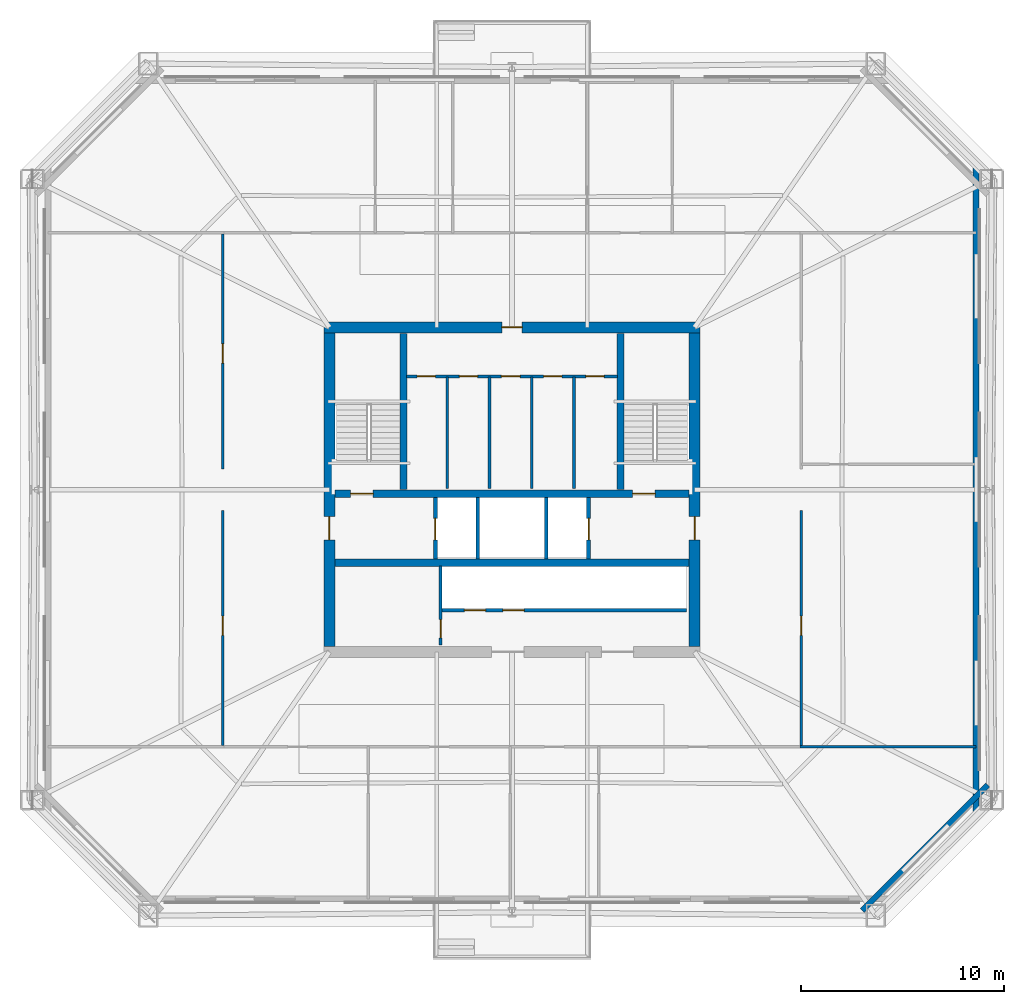
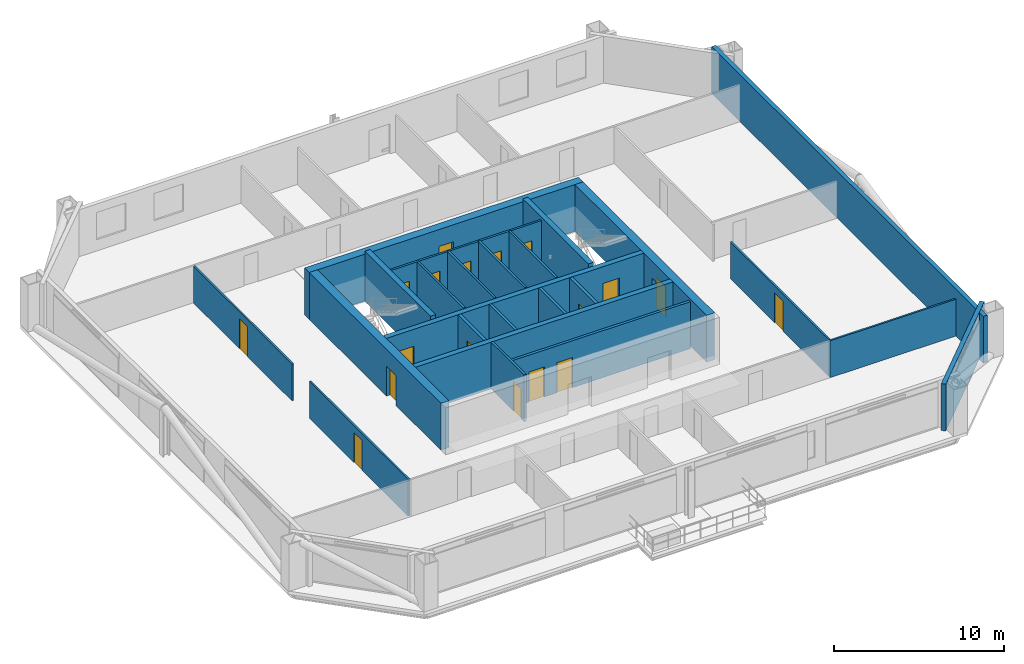
# One storey, part 3 of 7: 24 walls, 18 doors, 18 openings.
"""IFC4 building model written with IfcOpenShell, lengths in metres."""

from ifc_helpers import new_model, si_unit, direction, frame, frame_2d, origin, place, context, subcontext, project, spatial, rectangle, extrude, material, layer, layer_set, type_object, element, fill, save


model = new_model("IFC4")

# Units and contexts
model_context = context("Model", 3, precision=1e-05, world=origin(), true_north=direction((0.0, 1.0)))
body_context = subcontext(model_context, "Body", "Model", "MODEL_VIEW")
ifc_project = project(units=[si_unit("LENGTHUNIT", "METRE"), si_unit("AREAUNIT", "SQUARE_METRE"), si_unit("VOLUMEUNIT", "CUBIC_METRE"), si_unit("PLANEANGLEUNIT", "RADIAN"), si_unit("MASSUNIT", "GRAM", prefix="KILO")], contexts=[model_context])

# Site, building, storey
site_placement = place(None, origin())
site = spatial("IfcSite", under=ifc_project, at=site_placement, CompositionType="ELEMENT")
building_placement = place(site_placement, origin())
building = spatial("IfcBuilding", under=site, at=building_placement, Name="Caelvoria Tower", CompositionType="ELEMENT")
storey_placement = place(building_placement, frame((0.0, 0.0, 106.0)))
storey = spatial("IfcBuildingStorey", under=building, at=storey_placement, Name="L27", CompositionType="ELEMENT", Elevation=106.0)

# Wall, openings, doors
ifc_material_1 = material(Name="Concrete C50/60", Category="concrete")
ifc_layer_1 = layer(ifc_material_1, 0.35009765625, Name="Concrete C50/60")
ifc_layer_set_1 = layer_set([ifc_layer_1], Name="Core Internal Shear Wall 350 - Concrete C50/60")
wall_type_1 = type_object("IfcWallType", Name="Core Internal Shear Wall 350", PredefinedType="SHEAR", material=ifc_layer_set_1)
wall_1_placement = place(storey_placement, frame((37.27490234375, 31.800048828125, 0.0), z_axis=(0.0, 0.0, 1.0), x_axis=(1.0, 0.0, 0.0)))
wall_1 = element("IfcWall", 1, at=wall_1_placement, inside=storey, type_object=wall_type_1, Name="Core Shear Wall L27 M1", PredefinedType="SHEAR", context=body_context, shape_type="SweptSolid", body=[
    extrude(rectangle(XDim=17.4501953125, YDim=0.35009765625, at=frame_2d((8.72509765625, 0.0))), origin(), (0.0, 0.0, 1.0), 3.360107421875),
])
opening_1_placement = place(wall_1_placement, frame((0.77490234375, 0.0, 0.0)))
opening_1 = element("IfcOpeningElement", 2, at=opening_1_placement, cuts=wall_1, Name="Opening ID-01", PredefinedType="OPENING", context=body_context, shape_type="SweptSolid", body=[
    extrude(rectangle(XDim=1.10009765625, YDim=2.14990234375, at=frame_2d((0.550048828125, 1.074951171875))), frame((0.0, 0.18505859375, 0.0), z_axis=(0.0, -1.0, 0.0), x_axis=(1.0, 0.0, 0.0)), (0.0, 0.0, 1.0), 0.3701171875),
])
opening_2_placement = place(wall_1_placement, frame((14.675048828125, 0.0, 0.0)))
opening_2 = element("IfcOpeningElement", 3, at=opening_2_placement, cuts=wall_1, Name="Opening ID-01", PredefinedType="OPENING", context=body_context, shape_type="SweptSolid", body=[
    extrude(rectangle(XDim=1.10009765625, YDim=2.14990234375, at=frame_2d((0.550048828125, 1.074951171875))), frame((0.0, 0.18505859375, 0.0), z_axis=(0.0, -1.0, 0.0), x_axis=(1.0, 0.0, 0.0)), (0.0, 0.0, 1.0), 0.3701171875),
])
ifc_material_2 = material(Name="Painted Hollow Steel Fire Door", Category="steel")
door_type_1 = type_object("IfcDoorType", Name="Fire Door FD90S 1100x2150", OperationType="NOTDEFINED", PredefinedType="DOOR", material=ifc_material_2)
door_1_placement = place(opening_1_placement, origin())
door_1 = element("IfcDoor", 4, at=door_1_placement, inside=storey, type_object=door_type_1, Name="Core Door DR-L27-ST1", OperationType="SINGLE_SWING_LEFT", OverallHeight=2.14990234375, OverallWidth=1.10009765625, PredefinedType="DOOR", context=body_context, shape_type="SweptSolid", body=[
    extrude(rectangle(XDim=1.10009765625, YDim=2.14990234375, at=frame_2d((0.550048828125, 1.074951171875))), frame((0.0, 0.02490234375, 0.0), z_axis=(0.0, -1.0, 0.0), x_axis=(1.0, 0.0, 0.0)), (0.0, 0.0, 1.0), 0.050048828125),
])
fill(opening_1, door_1)
door_2_placement = place(opening_2_placement, origin())
door_2 = element("IfcDoor", 5, at=door_2_placement, inside=storey, type_object=door_type_1, Name="Core Door DR-L27-ST2", OperationType="SINGLE_SWING_RIGHT", OverallHeight=2.14990234375, OverallWidth=1.10009765625, PredefinedType="DOOR", context=body_context, shape_type="SweptSolid", body=[
    extrude(rectangle(XDim=1.10009765625, YDim=2.14990234375, at=frame_2d((0.550048828125, 1.074951171875))), frame((0.0, 0.02490234375, 0.0), z_axis=(0.0, -1.0, 0.0), x_axis=(1.0, 0.0, 0.0)), (0.0, 0.0, 1.0), 0.050048828125),
])
fill(opening_2, door_2)

# Walls
wall_2_placement = place(storey_placement, frame((37.27490234375, 28.39990234375, 0.0), z_axis=(0.0, 0.0, 1.0), x_axis=(1.0, 0.0, 0.0)))
element("IfcWall", 6, at=wall_2_placement, inside=storey, type_object=wall_type_1, Name="Core Shear Wall L27 M2", PredefinedType="SHEAR", context=body_context, shape_type="SweptSolid", body=[
    extrude(rectangle(XDim=17.4501953125, YDim=0.35009765625, at=frame_2d((8.72509765625, 0.0))), origin(), (0.0, 0.0, 1.0), 3.360107421875),
])
for number, where, z_axis, x_axis, name in (
    (7, (40.64990234375, 32.0, 0.0), (0.0, 0.0, 1.0), (0.0, 1.0, 0.0), "Interior Partition IW-L27-ST1E"),
    (8, (51.35009765625, 32.0, 0.0), (0.0, 0.0, 1.0), (0.0, 1.0, 0.0), "Interior Partition IW-L27-ST2W"),
):
    element("IfcWall", number, at=place(storey_placement, frame(where, z_axis=z_axis, x_axis=x_axis)), inside=storey, type_object=wall_type_1, Name=name, PredefinedType="SHEAR", context=body_context, shape_type="SweptSolid", body=[
        extrude(rectangle(XDim=7.699951171875, YDim=0.35009765625, at=frame_2d((3.85009765625, 0.0))), origin(), (0.0, 0.0, 1.0), 3.60009765625),
    ])
ifc_material_3 = material(Name="Moisture-Resistant Gypsum on Steel Stud", Category="steel")
ifc_layer_2 = layer(ifc_material_3, 0.139892578125, Name="Moisture-Resistant Gypsum on Steel Stud")
ifc_layer_set_2 = layer_set([ifc_layer_2], Name="Core Sanitary Acoustic Partition Wall 140 - Moisture-Resistant Gypsum on Steel Stud")
wall_type_2 = type_object("IfcWallType", Name="Core Sanitary Acoustic Partition Wall 140", PredefinedType="PARTITIONING", material=ifc_layer_set_2)
for number, where, z_axis, x_axis, name in (
    (9, (42.81005859375, 32.050048828125, 0.0), (0.0, 0.0, 1.0), (0.0, 1.0, 0.0), "Interior Partition IW-L27-C1V0"),
    (10, (44.889892578125, 32.050048828125, 0.0), (0.0, 0.0, 1.0), (0.0, 1.0, 0.0), "Interior Partition IW-L27-C1V1"),
    (11, (46.969970703125, 32.050048828125, 0.0), (0.0, 0.0, 1.0), (0.0, 1.0, 0.0), "Interior Partition IW-L27-C1V2"),
    (12, (49.050048828125, 32.050048828125, 0.0), (0.0, 0.0, 1.0), (0.0, 1.0, 0.0), "Interior Partition IW-L27-C1V3"),
):
    element("IfcWall", number, at=place(storey_placement, frame(where, z_axis=z_axis, x_axis=x_axis)), inside=storey, type_object=wall_type_2, Name=name, PredefinedType="PARTITIONING", context=body_context, shape_type="SweptSolid", body=[
        extrude(rectangle(XDim=5.5, YDim=0.139892578125, at=frame_2d((2.75, 0.0))), origin(), (0.0, 0.0, 1.0), 3.360107421875),
    ])

# Wall, openings, doors
wall_3_placement = place(storey_placement, frame((40.800048828125, 37.580078125, 0.0), z_axis=(0.0, 0.0, 1.0), x_axis=(1.0, 0.0, 0.0)))
wall_3 = element("IfcWall", 13, at=wall_3_placement, inside=storey, type_object=wall_type_2, Name="Interior Partition IW-L27-C1H", PredefinedType="PARTITIONING", context=body_context, shape_type="SweptSolid", body=[
    extrude(rectangle(XDim=10.39990234375, YDim=0.139892578125, at=frame_2d((5.199951171875, 0.0))), origin(), (0.0, 0.0, 1.0), 3.360107421875),
])
opening_3_placement = place(wall_3_placement, frame((0.52001953125, 0.0, 0.0)))
opening_3 = element("IfcOpeningElement", 14, at=opening_3_placement, cuts=wall_3, Name="Opening ID-06", PredefinedType="OPENING", context=body_context, shape_type="SweptSolid", body=[
    extrude(rectangle(XDim=0.89990234375, YDim=2.14990234375, at=frame_2d((0.449951171875, 1.074951171875))), frame((0.0, 0.079833984375, 0.0), z_axis=(0.0, -1.0, 0.0), x_axis=(1.0, 0.0, 0.0)), (0.0, 0.0, 1.0), 0.159912109375),
])
opening_4_placement = place(wall_3_placement, frame((2.60009765625, 0.0, 0.0)))
opening_4 = element("IfcOpeningElement", 15, at=opening_4_placement, cuts=wall_3, Name="Opening ID-06", PredefinedType="OPENING", context=body_context, shape_type="SweptSolid", body=[
    extrude(rectangle(XDim=0.89990234375, YDim=2.14990234375, at=frame_2d((0.449951171875, 1.074951171875))), frame((0.0, 0.079833984375, 0.0), z_axis=(0.0, -1.0, 0.0), x_axis=(1.0, 0.0, 0.0)), (0.0, 0.0, 1.0), 0.159912109375),
])
opening_5_placement = place(wall_3_placement, frame((4.679931640625, 0.0, 0.0)))
opening_5 = element("IfcOpeningElement", 16, at=opening_5_placement, cuts=wall_3, Name="Opening ID-07", PredefinedType="OPENING", context=body_context, shape_type="SweptSolid", body=[
    extrude(rectangle(XDim=0.919921875, YDim=2.14990234375, at=frame_2d((0.4599609375, 1.074951171875))), frame((0.0, 0.079833984375, 0.0), z_axis=(0.0, -1.0, 0.0), x_axis=(1.0, 0.0, 0.0)), (0.0, 0.0, 1.0), 0.159912109375),
])
opening_6_placement = place(wall_3_placement, frame((6.760009765625, 0.0, 0.0)))
opening_6 = element("IfcOpeningElement", 17, at=opening_6_placement, cuts=wall_3, Name="Opening ID-06", PredefinedType="OPENING", context=body_context, shape_type="SweptSolid", body=[
    extrude(rectangle(XDim=0.89990234375, YDim=2.14990234375, at=frame_2d((0.449951171875, 1.074951171875))), frame((0.0, 0.079833984375, 0.0), z_axis=(0.0, -1.0, 0.0), x_axis=(1.0, 0.0, 0.0)), (0.0, 0.0, 1.0), 0.159912109375),
])
opening_7_placement = place(wall_3_placement, frame((8.840087890625, 0.0, 0.0)))
opening_7 = element("IfcOpeningElement", 18, at=opening_7_placement, cuts=wall_3, Name="Opening ID-06", PredefinedType="OPENING", context=body_context, shape_type="SweptSolid", body=[
    extrude(rectangle(XDim=0.89990234375, YDim=2.14990234375, at=frame_2d((0.449951171875, 1.074951171875))), frame((0.0, 0.079833984375, 0.0), z_axis=(0.0, -1.0, 0.0), x_axis=(1.0, 0.0, 0.0)), (0.0, 0.0, 1.0), 0.159912109375),
])
ifc_material_4 = material(Name="Engineered Andean Oak Accessible Door", Category="wood")
door_type_2 = type_object("IfcDoorType", Name="Accessible WC Door 950x2150", OperationType="NOTDEFINED", PredefinedType="DOOR", material=ifc_material_4)
door_3_placement = place(opening_5_placement, origin())
door_3 = element("IfcDoor", 19, at=door_3_placement, inside=storey, type_object=door_type_2, Name="Interior Door DR-L27-C1-3", OperationType="SINGLE_SWING_LEFT", OverallHeight=2.14990234375, OverallWidth=0.919921875, PredefinedType="DOOR", context=body_context, shape_type="SweptSolid", body=[
    extrude(rectangle(XDim=0.919921875, YDim=2.14990234375, at=frame_2d((0.4599609375, 1.074951171875))), frame((0.0, 0.02490234375, 0.0), z_axis=(0.0, -1.0, 0.0), x_axis=(1.0, 0.0, 0.0)), (0.0, 0.0, 1.0), 0.050048828125),
])
fill(opening_5, door_3)
ifc_material_5 = material(Name="Engineered Andean Oak Veneer Door", Category="wood")
door_type_3 = type_object("IfcDoorType", Name="Interior Timber Door 900x2150", OperationType="NOTDEFINED", PredefinedType="DOOR", material=ifc_material_5)
door_4_placement = place(opening_3_placement, origin())
door_4 = element("IfcDoor", 20, at=door_4_placement, inside=storey, type_object=door_type_3, Name="Interior Door DR-L27-C1-1", OperationType="SINGLE_SWING_LEFT", OverallHeight=2.14990234375, OverallWidth=0.89990234375, PredefinedType="DOOR", context=body_context, shape_type="SweptSolid", body=[
    extrude(rectangle(XDim=0.89990234375, YDim=2.14990234375, at=frame_2d((0.449951171875, 1.074951171875))), frame((0.0, 0.02490234375, 0.0), z_axis=(0.0, -1.0, 0.0), x_axis=(1.0, 0.0, 0.0)), (0.0, 0.0, 1.0), 0.050048828125),
])
fill(opening_3, door_4)
door_5_placement = place(opening_4_placement, origin())
door_5 = element("IfcDoor", 21, at=door_5_placement, inside=storey, type_object=door_type_3, Name="Interior Door DR-L27-C1-2", OperationType="SINGLE_SWING_RIGHT", OverallHeight=2.14990234375, OverallWidth=0.89990234375, PredefinedType="DOOR", context=body_context, shape_type="SweptSolid", body=[
    extrude(rectangle(XDim=0.89990234375, YDim=2.14990234375, at=frame_2d((0.449951171875, 1.074951171875))), frame((0.0, 0.02490234375, 0.0), z_axis=(0.0, -1.0, 0.0), x_axis=(1.0, 0.0, 0.0)), (0.0, 0.0, 1.0), 0.050048828125),
])
fill(opening_4, door_5)
door_6_placement = place(opening_6_placement, origin())
door_6 = element("IfcDoor", 22, at=door_6_placement, inside=storey, type_object=door_type_3, Name="Interior Door DR-L27-C1-4", OperationType="SINGLE_SWING_RIGHT", OverallHeight=2.14990234375, OverallWidth=0.89990234375, PredefinedType="DOOR", context=body_context, shape_type="SweptSolid", body=[
    extrude(rectangle(XDim=0.89990234375, YDim=2.14990234375, at=frame_2d((0.449951171875, 1.074951171875))), frame((0.0, 0.02490234375, 0.0), z_axis=(0.0, -1.0, 0.0), x_axis=(1.0, 0.0, 0.0)), (0.0, 0.0, 1.0), 0.050048828125),
])
fill(opening_6, door_6)
door_7_placement = place(opening_7_placement, origin())
door_7 = element("IfcDoor", 23, at=door_7_placement, inside=storey, type_object=door_type_3, Name="Interior Door DR-L27-C1-5", OperationType="SINGLE_SWING_LEFT", OverallHeight=2.14990234375, OverallWidth=0.89990234375, PredefinedType="DOOR", context=body_context, shape_type="SweptSolid", body=[
    extrude(rectangle(XDim=0.89990234375, YDim=2.14990234375, at=frame_2d((0.449951171875, 1.074951171875))), frame((0.0, 0.02490234375, 0.0), z_axis=(0.0, -1.0, 0.0), x_axis=(1.0, 0.0, 0.0)), (0.0, 0.0, 1.0), 0.050048828125),
])
fill(opening_7, door_7)

# Wall, opening, door
ifc_material_6 = material(Name="Double Gypsum Board on Steel Stud", Category="steel")
ifc_layer_3 = layer(ifc_material_6, 0.14990234375, Name="Double Gypsum Board on Steel Stud")
ifc_layer_set_3 = layer_set([ifc_layer_3], Name="Core Service Acoustic Partition Wall 150 - Double Gypsum Board on Steel Stud")
wall_type_3 = type_object("IfcWallType", Name="Core Service Acoustic Partition Wall 150", PredefinedType="PARTITIONING", material=ifc_layer_set_3)
wall_4_placement = place(storey_placement, frame((42.47998046875, 24.35009765625, 0.0), z_axis=(0.0, 0.0, 1.0), x_axis=(0.0, 1.0, 0.0)))
wall_4 = element("IfcWall", 24, at=wall_4_placement, inside=storey, type_object=wall_type_3, Name="Interior Partition IW-L27-RECL1E", PredefinedType="PARTITIONING", context=body_context, shape_type="SweptSolid", body=[
    extrude(rectangle(XDim=3.89990234375, YDim=0.14990234375, at=frame_2d((1.949951171875, 0.0))), origin(), (0.0, 0.0, 1.0), 3.360107421875),
])
opening_8_placement = place(wall_4_placement, frame((0.35009765625, 0.0, 0.0)))
opening_8 = element("IfcOpeningElement", 25, at=opening_8_placement, cuts=wall_4, Name="Opening ID-04", PredefinedType="OPENING", context=body_context, shape_type="SweptSolid", body=[
    extrude(rectangle(XDim=0.89990234375, YDim=2.14990234375, at=frame_2d((0.449951171875, 1.074951171875))), frame((0.0, 0.0849609375, 0.0), z_axis=(0.0, -1.0, 0.0), x_axis=(1.0, 0.0, 0.0)), (0.0, 0.0, 1.0), 0.169921875),
])
ifc_material_7 = material(Name="Acoustic Timber Fire Door", Category="wood")
door_type_4 = type_object("IfcDoorType", Name="Fire Door FD30S 900x2150", OperationType="NOTDEFINED", PredefinedType="DOOR", material=ifc_material_7)
door_8_placement = place(opening_8_placement, origin())
door_8 = element("IfcDoor", 26, at=door_8_placement, inside=storey, type_object=door_type_4, Name="Interior Door DR-L27-RECL1", OperationType="SINGLE_SWING_LEFT", OverallHeight=2.14990234375, OverallWidth=0.89990234375, PredefinedType="DOOR", context=body_context, shape_type="SweptSolid", body=[
    extrude(rectangle(XDim=0.89990234375, YDim=2.14990234375, at=frame_2d((0.449951171875, 1.074951171875))), frame((0.0, 0.02490234375, 0.0), z_axis=(0.0, -1.0, 0.0), x_axis=(1.0, 0.0, 0.0)), (0.0, 0.0, 1.0), 0.050048828125),
])
fill(opening_8, door_8)

# Walls
ifc_material_8 = material(Name="Precast Concrete C40/50 with Bronze Cladding", Category="concrete")
ifc_layer_4 = layer(ifc_material_8, 0.280029296875, Name="Precast Concrete C40/50 with Bronze Cladding")
ifc_layer_set_4 = layer_set([ifc_layer_4], Name="Exterior Precast Concrete C40/50 Bronze-Clad Facade Wall 280 - Precast Concrete C40/50 with Bronze Cladding")
wall_type_4 = type_object("IfcWallType", Name="Exterior Precast Concrete C40/50 Bronze-Clad Facade Wall 280", PredefinedType="STANDARD", material=ifc_layer_set_4)
wall_5_placement = place(storey_placement, frame((63.25439453125, 11.256103515625, 0.0), z_axis=(0.0, 0.0, 1.0), x_axis=(0.707106781187, 0.707106781187, 0.0)))
element("IfcWall", 27, at=wall_5_placement, inside=storey, type_object=wall_type_4, Name="Exterior Facade Wall L27-E1", PredefinedType="STANDARD", context=body_context, shape_type="SweptSolid", body=[
    extrude(rectangle(XDim=8.753173828125, YDim=0.280029296875, at=frame_2d((4.37646484375, 0.0))), origin(), (0.0, 0.0, 1.0), 3.360107421875),
])
wall_6_placement = place(storey_placement, frame((68.8701171875, 16.06005859375, 0.0), z_axis=(0.0, 0.0, 1.0), x_axis=(0.0, 1.0, 0.0)))
element("IfcWall", 28, at=wall_6_placement, inside=storey, type_object=wall_type_4, Name="Exterior Facade Wall L27-E2", PredefinedType="STANDARD", context=body_context, shape_type="SweptSolid", body=[
    extrude(rectangle(XDim=31.8798828125, YDim=0.280029296875, at=frame_2d((15.93994140625, 0.0))), origin(), (0.0, 0.0, 1.0), 3.360107421875),
])
ifc_material_9 = material(Name="Concrete Block and Fireboard Assembly", Category="concrete")
ifc_layer_5 = layer(ifc_material_9, 0.179931640625, Name="Concrete Block and Fireboard Assembly")
ifc_layer_set_5 = layer_set([ifc_layer_5], Name="Fire-Rated Hoistway Partition Wall 180 - Concrete Block and Fireboard Assembly")
wall_type_5 = type_object("IfcWallType", Name="Fire-Rated Hoistway Partition Wall 180", PredefinedType="PARTITIONING", material=ifc_layer_set_5)
for number, where, z_axis, x_axis, name in (
    (29, (44.320068359375, 28.580078125, 0.0), (0.0, 0.0, 1.0), (0.0, 1.0, 0.0), "Interior Partition IW-L27-SV1W"),
    (30, (47.679931640625, 28.580078125, 0.0), (0.0, 0.0, 1.0), (0.0, 1.0, 0.0), "Interior Partition IW-L27-SV1E"),
):
    element("IfcWall", number, at=place(storey_placement, frame(where, z_axis=z_axis, x_axis=x_axis)), inside=storey, type_object=wall_type_5, Name=name, PredefinedType="PARTITIONING", context=body_context, shape_type="SweptSolid", body=[
        extrude(rectangle(XDim=3.0400390625, YDim=0.179931640625, at=frame_2d((1.52001953125, 0.0))), origin(), (0.0, 0.0, 1.0), 3.360107421875),
    ])

# Wall, openings, doors
wall_7_placement = place(storey_placement, frame((42.550048828125, 26.050048828125, 0.0), z_axis=(0.0, 0.0, 1.0), x_axis=(1.0, 0.0, 0.0)))
wall_7 = element("IfcWall", 31, at=wall_7_placement, inside=storey, type_object=wall_type_5, Name="Interior Partition IW-L27-LFRONT", PredefinedType="PARTITIONING", context=body_context, shape_type="SweptSolid", body=[
    extrude(rectangle(XDim=12.050048828125, YDim=0.179931640625, at=frame_2d((6.02490234375, 0.0))), origin(), (0.0, 0.0, 1.0), 3.360107421875),
])
opening_9_placement = place(wall_7_placement, frame((1.10009765625, 0.0, 0.0)))
opening_9 = element("IfcOpeningElement", 32, at=opening_9_placement, cuts=wall_7, Name="Opening LD-01", PredefinedType="OPENING", context=body_context, shape_type="SweptSolid", body=[
    extrude(rectangle(XDim=1.050048828125, YDim=2.14990234375, at=frame_2d((0.52490234375, 1.074951171875))), frame((0.0, 0.099853515625, 0.0), z_axis=(0.0, -1.0, 0.0), x_axis=(1.0, 0.0, 0.0)), (0.0, 0.0, 1.0), 0.199951171875),
])
opening_10_placement = place(wall_7_placement, frame((3.0, 0.0, 0.0)))
opening_10 = element("IfcOpeningElement", 33, at=opening_10_placement, cuts=wall_7, Name="Opening LD-01", PredefinedType="OPENING", context=body_context, shape_type="SweptSolid", body=[
    extrude(rectangle(XDim=1.050048828125, YDim=2.14990234375, at=frame_2d((0.52490234375, 1.074951171875))), frame((0.0, 0.099853515625, 0.0), z_axis=(0.0, -1.0, 0.0), x_axis=(1.0, 0.0, 0.0)), (0.0, 0.0, 1.0), 0.199951171875),
])
ifc_material_10 = material(Name="Brushed Bronze Stainless Sliding Landing Door", Category="aluminium")
door_type_5 = type_object("IfcDoorType", Name="Lift Landing Sliding Door 1100x2150", OperationType="NOTDEFINED", PredefinedType="DOOR", material=ifc_material_10)
door_9_placement = place(opening_9_placement, origin())
door_9 = element("IfcDoor", 34, at=door_9_placement, inside=storey, type_object=door_type_5, Name="Interior Door LD-L27-PM1", OperationType="SLIDING_TO_LEFT", OverallHeight=2.14990234375, OverallWidth=1.050048828125, PredefinedType="DOOR", context=body_context, shape_type="SweptSolid", body=[
    extrude(rectangle(XDim=1.050048828125, YDim=2.14990234375, at=frame_2d((0.52490234375, 1.074951171875))), frame((0.0, 0.02490234375, 0.0), z_axis=(0.0, -1.0, 0.0), x_axis=(1.0, 0.0, 0.0)), (0.0, 0.0, 1.0), 0.050048828125),
])
fill(opening_9, door_9)
door_10_placement = place(opening_10_placement, origin())
door_10 = element("IfcDoor", 35, at=door_10_placement, inside=storey, type_object=door_type_5, Name="Interior Door LD-L27-PM2", OperationType="SLIDING_TO_RIGHT", OverallHeight=2.14990234375, OverallWidth=1.050048828125, PredefinedType="DOOR", context=body_context, shape_type="SweptSolid", body=[
    extrude(rectangle(XDim=1.050048828125, YDim=2.14990234375, at=frame_2d((0.52490234375, 1.074951171875))), frame((0.0, 0.02490234375, 0.0), z_axis=(0.0, -1.0, 0.0), x_axis=(1.0, 0.0, 0.0)), (0.0, 0.0, 1.0), 0.050048828125),
])
fill(opening_10, door_10)

# Wall, opening, door
ifc_layer_6 = layer(ifc_material_9, 0.199951171875, Name="Concrete Block and Fireboard Assembly")
ifc_layer_set_6 = layer_set([ifc_layer_6], Name="Fire-Rated Shaft and Core Partition Wall 200 - Concrete Block and Fireboard Assembly")
wall_type_6 = type_object("IfcWallType", Name="Fire-Rated Shaft and Core Partition Wall 200", PredefinedType="PARTITIONING", material=ifc_layer_set_6)
wall_8_placement = place(storey_placement, frame((42.219970703125, 28.580078125, 0.0), z_axis=(0.0, 0.0, 1.0), x_axis=(0.0, 1.0, 0.0)))
wall_8 = element("IfcWall", 36, at=wall_8_placement, inside=storey, type_object=wall_type_6, Name="Interior Partition IW-L27-LF1W", PredefinedType="PARTITIONING", context=body_context, shape_type="SweptSolid", body=[
    extrude(rectangle(XDim=3.0400390625, YDim=0.199951171875, at=frame_2d((1.52001953125, 0.0))), origin(), (0.0, 0.0, 1.0), 3.360107421875),
])
opening_11_placement = place(wall_8_placement, frame((0.949951171875, 0.0, 0.0)))
opening_11 = element("IfcOpeningElement", 37, at=opening_11_placement, cuts=wall_8, Name="Opening LD-01", PredefinedType="OPENING", context=body_context, shape_type="SweptSolid", body=[
    extrude(rectangle(XDim=1.050048828125, YDim=2.14990234375, at=frame_2d((0.52490234375, 1.074951171875))), frame((0.0, 0.10986328125, 0.0), z_axis=(0.0, -1.0, 0.0), x_axis=(1.0, 0.0, 0.0)), (0.0, 0.0, 1.0), 0.219970703125),
])
door_11_placement = place(opening_11_placement, origin())
door_11 = element("IfcDoor", 38, at=door_11_placement, inside=storey, type_object=door_type_5, Name="Interior Door LD-L27-LF1", OperationType="SLIDING_TO_LEFT", OverallHeight=2.14990234375, OverallWidth=1.050048828125, PredefinedType="DOOR", context=body_context, shape_type="SweptSolid", body=[
    extrude(rectangle(XDim=1.050048828125, YDim=2.14990234375, at=frame_2d((0.52490234375, 1.074951171875))), frame((0.0, 0.02490234375, 0.0), z_axis=(0.0, -1.0, 0.0), x_axis=(1.0, 0.0, 0.0)), (0.0, 0.0, 1.0), 0.050048828125),
])
fill(opening_11, door_11)

wall_9_placement = place(storey_placement, frame((49.780029296875, 28.580078125, 0.0), z_axis=(0.0, 0.0, 1.0), x_axis=(0.0, 1.0, 0.0)))
wall_9 = element("IfcWall", 39, at=wall_9_placement, inside=storey, type_object=wall_type_6, Name="Interior Partition IW-L27-LF2E", PredefinedType="PARTITIONING", context=body_context, shape_type="SweptSolid", body=[
    extrude(rectangle(XDim=3.0400390625, YDim=0.199951171875, at=frame_2d((1.52001953125, 0.0))), origin(), (0.0, 0.0, 1.0), 3.360107421875),
])
opening_12_placement = place(wall_9_placement, frame((0.949951171875, 0.0, 0.0)))
opening_12 = element("IfcOpeningElement", 40, at=opening_12_placement, cuts=wall_9, Name="Opening LD-01", PredefinedType="OPENING", context=body_context, shape_type="SweptSolid", body=[
    extrude(rectangle(XDim=1.050048828125, YDim=2.14990234375, at=frame_2d((0.52490234375, 1.074951171875))), frame((0.0, 0.10986328125, 0.0), z_axis=(0.0, -1.0, 0.0), x_axis=(1.0, 0.0, 0.0)), (0.0, 0.0, 1.0), 0.219970703125),
])
door_12_placement = place(opening_12_placement, origin())
door_12 = element("IfcDoor", 41, at=door_12_placement, inside=storey, type_object=door_type_5, Name="Interior Door LD-L27-LF2", OperationType="SLIDING_TO_RIGHT", OverallHeight=2.14990234375, OverallWidth=1.050048828125, PredefinedType="DOOR", context=body_context, shape_type="SweptSolid", body=[
    extrude(rectangle(XDim=1.050048828125, YDim=2.14990234375, at=frame_2d((0.52490234375, 1.074951171875))), frame((0.0, 0.02490234375, 0.0), z_axis=(0.0, -1.0, 0.0), x_axis=(1.0, 0.0, 0.0)), (0.0, 0.0, 1.0), 0.050048828125),
])
fill(opening_12, door_12)

ifc_material_11 = material(Name="Concrete C55/67", Category="concrete")
ifc_layer_7 = layer(ifc_material_11, 0.550048828125, Name="Concrete C55/67")
ifc_layer_set_7 = layer_set([ifc_layer_7], Name="Mid Core Shear Wall 550 - Concrete C55/67")
wall_type_7 = type_object("IfcWallType", Name="Mid Core Shear Wall 550", PredefinedType="SHEAR", material=ifc_layer_set_7)
wall_10_placement = place(storey_placement, frame((36.72509765625, 40.0, 0.0), z_axis=(0.0, 0.0, 1.0), x_axis=(1.0, 0.0, 0.0)))
wall_10 = element("IfcWall", 42, at=wall_10_placement, inside=storey, type_object=wall_type_7, Name="Core Shear Wall L27 N", PredefinedType="SHEAR", context=body_context, shape_type="SweptSolid", body=[
    extrude(rectangle(XDim=18.5498046875, YDim=0.550048828125, at=frame_2d((9.27490234375, 0.0))), origin(), (0.0, 0.0, 1.0), 3.360107421875),
])
opening_13_placement = place(wall_10_placement, frame((8.77490234375, 0.0, 0.0)))
opening_13 = element("IfcOpeningElement", 43, at=opening_13_placement, cuts=wall_10, Name="Opening ID-03", PredefinedType="OPENING", context=body_context, shape_type="SweptSolid", body=[
    extrude(rectangle(XDim=1.0, YDim=2.14990234375, at=frame_2d((0.5, 1.074951171875))), frame((0.0, 0.284912109375, 0.0), z_axis=(0.0, -1.0, 0.0), x_axis=(1.0, 0.0, 0.0)), (0.0, 0.0, 1.0), 0.570068359375),
])
door_type_6 = type_object("IfcDoorType", Name="Fire Door FD60S 1000x2150", OperationType="NOTDEFINED", PredefinedType="DOOR", material=ifc_material_2)
door_13_placement = place(opening_13_placement, origin())
door_13 = element("IfcDoor", 44, at=door_13_placement, inside=storey, type_object=door_type_6, Name="Core Door DR-L27-WC-MAIN", OperationType="SINGLE_SWING_RIGHT", OverallHeight=2.14990234375, OverallWidth=1.0, PredefinedType="DOOR", context=body_context, shape_type="SweptSolid", body=[
    extrude(rectangle(XDim=1.0, YDim=2.14990234375, at=frame_2d((0.5, 1.074951171875))), frame((0.0, 0.02490234375, 0.0), z_axis=(0.0, -1.0, 0.0), x_axis=(1.0, 0.0, 0.0)), (0.0, 0.0, 1.0), 0.050048828125),
])
fill(opening_13, door_13)

wall_11_placement = place(storey_placement, frame((37.0, 24.27490234375, 0.0), z_axis=(0.0, 0.0, 1.0), x_axis=(0.0, 1.0, 0.0)))
wall_11 = element("IfcWall", 45, at=wall_11_placement, inside=storey, type_object=wall_type_7, Name="Core Shear Wall L27 W", PredefinedType="SHEAR", context=body_context, shape_type="SweptSolid", body=[
    extrude(rectangle(XDim=15.4501953125, YDim=0.550048828125, at=frame_2d((7.72509765625, 0.0))), origin(), (0.0, 0.0, 1.0), 3.360107421875),
])
opening_14_placement = place(wall_11_placement, frame((5.25, 0.0, 0.0)))
opening_14 = element("IfcOpeningElement", 46, at=opening_14_placement, cuts=wall_11, Name="Opening ID-02", PredefinedType="OPENING", context=body_context, shape_type="SweptSolid", body=[
    extrude(rectangle(XDim=1.14990234375, YDim=2.14990234375, at=frame_2d((0.574951171875, 1.074951171875))), frame((0.0, 0.284912109375, 0.0), z_axis=(0.0, -1.0, 0.0), x_axis=(1.0, 0.0, 0.0)), (0.0, 0.0, 1.0), 0.570068359375),
])
door_type_7 = type_object("IfcDoorType", Name="Fire Door FD60S 1150x2150", OperationType="NOTDEFINED", PredefinedType="DOOR", material=ifc_material_2)
door_14_placement = place(opening_14_placement, origin())
door_14 = element("IfcDoor", 47, at=door_14_placement, inside=storey, type_object=door_type_7, Name="Core Door DR-L27-FFLW-OUT", OperationType="SINGLE_SWING_LEFT", OverallHeight=2.14990234375, OverallWidth=1.14990234375, PredefinedType="DOOR", context=body_context, shape_type="SweptSolid", body=[
    extrude(rectangle(XDim=1.14990234375, YDim=2.14990234375, at=frame_2d((0.574951171875, 1.074951171875))), frame((0.0, 0.02490234375, 0.0), z_axis=(0.0, -1.0, 0.0), x_axis=(1.0, 0.0, 0.0)), (0.0, 0.0, 1.0), 0.050048828125),
])
fill(opening_14, door_14)

wall_12_placement = place(storey_placement, frame((55.0, 24.27490234375, 0.0), z_axis=(0.0, 0.0, 1.0), x_axis=(0.0, 1.0, 0.0)))
wall_12 = element("IfcWall", 48, at=wall_12_placement, inside=storey, type_object=wall_type_7, Name="Core Shear Wall L27 E", PredefinedType="SHEAR", context=body_context, shape_type="SweptSolid", body=[
    extrude(rectangle(XDim=15.4501953125, YDim=0.550048828125, at=frame_2d((7.72509765625, 0.0))), origin(), (0.0, 0.0, 1.0), 3.360107421875),
])
opening_15_placement = place(wall_12_placement, frame((5.25, 0.0, 0.0)))
opening_15 = element("IfcOpeningElement", 49, at=opening_15_placement, cuts=wall_12, Name="Opening ID-02", PredefinedType="OPENING", context=body_context, shape_type="SweptSolid", body=[
    extrude(rectangle(XDim=1.14990234375, YDim=2.14990234375, at=frame_2d((0.574951171875, 1.074951171875))), frame((0.0, 0.284912109375, 0.0), z_axis=(0.0, -1.0, 0.0), x_axis=(1.0, 0.0, 0.0)), (0.0, 0.0, 1.0), 0.570068359375),
])
door_15_placement = place(opening_15_placement, origin())
door_15 = element("IfcDoor", 50, at=door_15_placement, inside=storey, type_object=door_type_7, Name="Core Door DR-L27-FFLE-OUT", OperationType="SINGLE_SWING_RIGHT", OverallHeight=2.14990234375, OverallWidth=1.14990234375, PredefinedType="DOOR", context=body_context, shape_type="SweptSolid", body=[
    extrude(rectangle(XDim=1.14990234375, YDim=2.14990234375, at=frame_2d((0.574951171875, 1.074951171875))), frame((0.0, 0.02490234375, 0.0), z_axis=(0.0, -1.0, 0.0), x_axis=(1.0, 0.0, 0.0)), (0.0, 0.0, 1.0), 0.050048828125),
])
fill(opening_15, door_15)

ifc_material_12 = material(Name="Acoustic Gypsum Board on Light-Gauge Stud", Category="gypsum")
ifc_layer_8 = layer(ifc_material_12, 0.1201171875, Name="Acoustic Gypsum Board on Light-Gauge Stud")
ifc_layer_set_8 = layer_set([ifc_layer_8], Name="Tenant Suite Acoustic Partition Wall 120 - Acoustic Gypsum Board on Light-Gauge Stud")
wall_type_8 = type_object("IfcWallType", Name="Tenant Suite Acoustic Partition Wall 120", PredefinedType="PARTITIONING", material=ifc_layer_set_8)
wall_13_placement = place(storey_placement, frame((31.739990234375, 19.39990234375, 0.0), z_axis=(0.0, 0.0, 1.0), x_axis=(0.0, 1.0, 0.0)))
wall_13 = element("IfcWall", 51, at=wall_13_placement, inside=storey, type_object=wall_type_8, Name="Interior Partition IW-L27-WCW-0", PredefinedType="PARTITIONING", context=body_context, shape_type="SweptSolid", body=[
    extrude(rectangle(XDim=11.580078125, YDim=0.1201171875, at=frame_2d((5.7900390625, 0.0))), origin(), (0.0, 0.0, 1.0), 2.639892578125),
])
opening_16_placement = place(wall_13_placement, frame((5.4150390625, 0.0, 0.0)))
opening_16 = element("IfcOpeningElement", 52, at=opening_16_placement, cuts=wall_13, Name="Opening ID-05", PredefinedType="OPENING", context=body_context, shape_type="SweptSolid", body=[
    extrude(rectangle(XDim=0.949951171875, YDim=2.14990234375, at=frame_2d((0.47509765625, 1.074951171875))), frame((0.0, 0.070068359375, 0.0), z_axis=(0.0, -1.0, 0.0), x_axis=(1.0, 0.0, 0.0)), (0.0, 0.0, 1.0), 0.14013671875),
])
door_type_8 = type_object("IfcDoorType", Name="Interior Timber Door 950x2150", OperationType="NOTDEFINED", PredefinedType="DOOR", material=ifc_material_5)
door_16_placement = place(opening_16_placement, origin())
door_16 = element("IfcDoor", 53, at=door_16_placement, inside=storey, type_object=door_type_8, Name="Interior Door DR-L27-WC-00-0", OperationType="SINGLE_SWING_RIGHT", OverallHeight=2.14990234375, OverallWidth=0.949951171875, PredefinedType="DOOR", context=body_context, shape_type="SweptSolid", body=[
    extrude(rectangle(XDim=0.949951171875, YDim=2.14990234375, at=frame_2d((0.47509765625, 1.074951171875))), frame((0.0, 0.02490234375, 0.0), z_axis=(0.0, -1.0, 0.0), x_axis=(1.0, 0.0, 0.0)), (0.0, 0.0, 1.0), 0.050048828125),
])
fill(opening_16, door_16)

wall_14_placement = place(storey_placement, frame((31.739990234375, 33.02001953125, 0.0), z_axis=(0.0, 0.0, 1.0), x_axis=(0.0, 1.0, 0.0)))
wall_14 = element("IfcWall", 54, at=wall_14_placement, inside=storey, type_object=wall_type_8, Name="Interior Partition IW-L27-WCW-1", PredefinedType="PARTITIONING", context=body_context, shape_type="SweptSolid", body=[
    extrude(rectangle(XDim=11.580078125, YDim=0.1201171875, at=frame_2d((5.7900390625, 0.0))), origin(), (0.0, 0.0, 1.0), 2.639892578125),
])
opening_17_placement = place(wall_14_placement, frame((5.215087890625, 0.0, 0.0)))
opening_17 = element("IfcOpeningElement", 55, at=opening_17_placement, cuts=wall_14, Name="Opening ID-05", PredefinedType="OPENING", context=body_context, shape_type="SweptSolid", body=[
    extrude(rectangle(XDim=0.949951171875, YDim=2.14990234375, at=frame_2d((0.47509765625, 1.074951171875))), frame((0.0, 0.070068359375, 0.0), z_axis=(0.0, -1.0, 0.0), x_axis=(1.0, 0.0, 0.0)), (0.0, 0.0, 1.0), 0.14013671875),
])
door_17_placement = place(opening_17_placement, origin())
door_17 = element("IfcDoor", 56, at=door_17_placement, inside=storey, type_object=door_type_8, Name="Interior Door DR-L27-WC-01-0", OperationType="SINGLE_SWING_LEFT", OverallHeight=2.14990234375, OverallWidth=0.949951171875, PredefinedType="DOOR", context=body_context, shape_type="SweptSolid", body=[
    extrude(rectangle(XDim=0.949951171875, YDim=2.14990234375, at=frame_2d((0.47509765625, 1.074951171875))), frame((0.0, 0.02490234375, 0.0), z_axis=(0.0, -1.0, 0.0), x_axis=(1.0, 0.0, 0.0)), (0.0, 0.0, 1.0), 0.050048828125),
])
fill(opening_17, door_17)

wall_15_placement = place(storey_placement, frame((60.260009765625, 19.39990234375, 0.0), z_axis=(0.0, 0.0, 1.0), x_axis=(0.0, 1.0, 0.0)))
wall_15 = element("IfcWall", 57, at=wall_15_placement, inside=storey, type_object=wall_type_8, Name="Interior Partition IW-L27-ECW-0", PredefinedType="PARTITIONING", context=body_context, shape_type="SweptSolid", body=[
    extrude(rectangle(XDim=11.580078125, YDim=0.1201171875, at=frame_2d((5.7900390625, 0.0))), origin(), (0.0, 0.0, 1.0), 2.639892578125),
])
opening_18_placement = place(wall_15_placement, frame((5.4150390625, 0.0, 0.0)))
opening_18 = element("IfcOpeningElement", 58, at=opening_18_placement, cuts=wall_15, Name="Opening ID-05", PredefinedType="OPENING", context=body_context, shape_type="SweptSolid", body=[
    extrude(rectangle(XDim=0.949951171875, YDim=2.14990234375, at=frame_2d((0.47509765625, 1.074951171875))), frame((0.0, 0.070068359375, 0.0), z_axis=(0.0, -1.0, 0.0), x_axis=(1.0, 0.0, 0.0)), (0.0, 0.0, 1.0), 0.14013671875),
])
door_18_placement = place(opening_18_placement, origin())
door_18 = element("IfcDoor", 59, at=door_18_placement, inside=storey, type_object=door_type_8, Name="Interior Door DR-L27-EC-00-0", OperationType="SINGLE_SWING_RIGHT", OverallHeight=2.14990234375, OverallWidth=0.949951171875, PredefinedType="DOOR", context=body_context, shape_type="SweptSolid", body=[
    extrude(rectangle(XDim=0.949951171875, YDim=2.14990234375, at=frame_2d((0.47509765625, 1.074951171875))), frame((0.0, 0.02490234375, 0.0), z_axis=(0.0, -1.0, 0.0), x_axis=(1.0, 0.0, 0.0)), (0.0, 0.0, 1.0), 0.050048828125),
])
fill(opening_18, door_18)

# Wall
wall_16_placement = place(storey_placement, frame((60.199951171875, 19.340087890625, 0.0), z_axis=(0.0, 0.0, 1.0), x_axis=(1.0, 0.0, 0.0)))
element("IfcWall", 60, at=wall_16_placement, inside=storey, type_object=wall_type_8, Name="Interior Partition IW-L27-BSE-0", PredefinedType="PARTITIONING", context=body_context, shape_type="SweptSolid", body=[
    extrude(rectangle(XDim=8.670166015625, YDim=0.1201171875, at=frame_2d((4.3349609375, 0.0))), origin(), (0.0, 0.0, 1.0), 2.639892578125),
])

save(model, "model.ifc")
